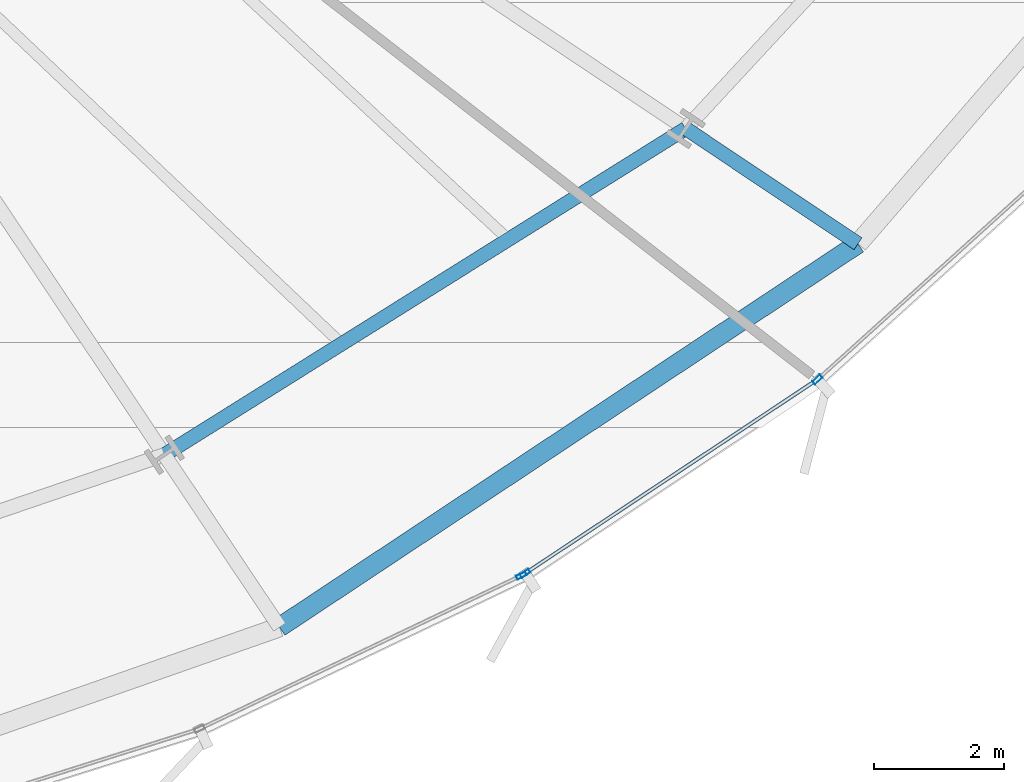
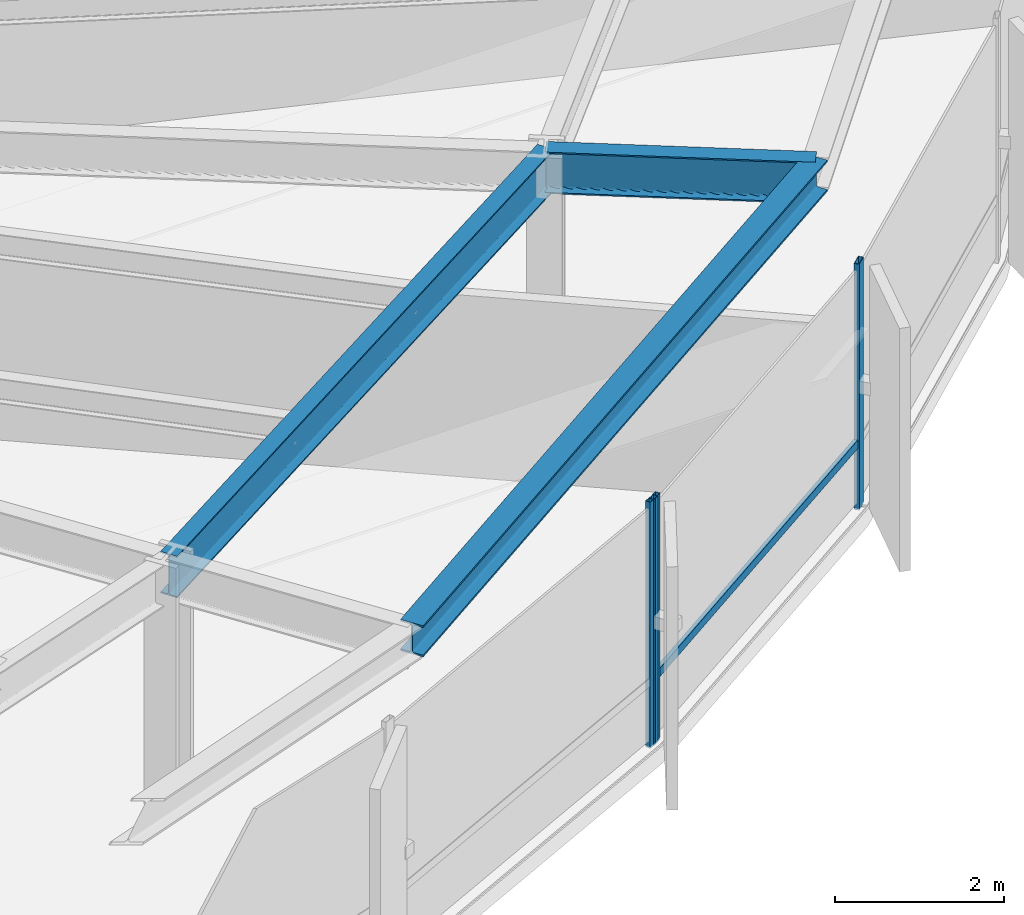
# One storey, part 13 of 38: 4 members, 3 beams, 2 elements without a shape of their own.
"""IFC4 building model written with IfcOpenShell, lengths in metres."""

import ifcopenshell
import ifcopenshell.guid

model = None  # the IFC model being written
_history = None  # IfcOwnerHistory: only IFC2X3 demands one
_inside = {}  # id of a spatial element -> (the spatial element, [elements in it])
_under = {}  # id of a project, library or spatial element -> (it, [spatial elements below it])
_declared = {}  # id of a project -> (the project, [libraries it declares])
_typed = {}  # id of a type object -> (the type object, [elements of that type])
_made_of = {}  # id of a material, layer set ... -> (it, [elements and type objects made of it])


def new_model(schema):
    """Start an empty IFC model of exactly this schema.

    Asked for "IFC4X3", IfcOpenShell would pick the latest addendum, in which some entities
    have other attributes; the version numbers below select the first issue.
    IFC2X3 requires an IfcOwnerHistory on every rooted entity: one is made here for all.
    """
    global model, _history
    if schema == "IFC4X3":
        model = ifcopenshell.file(schema_version=(4, 3, 0, 0))
    else:
        model = ifcopenshell.file(schema=schema)
    _inside.clear()
    _under.clear()
    _declared.clear()
    _typed.clear()
    _made_of.clear()
    _history = None
    if model.schema == "IFC2X3":
        org = make("IfcOrganization", Name="unknown")
        user = make(
            "IfcPersonAndOrganization",
            ThePerson=make("IfcPerson", FamilyName="unknown"),
            TheOrganization=org,
        )
        app = make(
            "IfcApplication",
            ApplicationDeveloper=org,
            Version="unknown",
            ApplicationFullName="unknown",
            ApplicationIdentifier="unknown",
        )
        _history = make(
            "IfcOwnerHistory",
            OwningUser=user,
            OwningApplication=app,
            ChangeAction="ADDED",
            CreationDate=0,
        )
    return model


def make(cls, **values):
    """One entity of the class cls with the attributes given. An attribute that is None is left unset."""
    return model.create_entity(
        cls, **{name: value for name, value in values.items() if value is not None}
    )


def rooted(cls, **values):
    """An entity with a GlobalId (a new one), such as an element, a storey or a relation."""
    return make(cls, GlobalId=ifcopenshell.guid.new(), OwnerHistory=_history, **values)


def si_unit(unit_type, name, prefix=None):
    """IfcSIUnit, for example si_unit("LENGTHUNIT", "METRE", prefix="MILLI")."""
    return make("IfcSIUnit", UnitType=unit_type, Prefix=prefix, Name=name)


def assignment(units):
    """IfcUnitAssignment: the units of a project."""
    return None if units is None else make("IfcUnitAssignment", Units=units)


def point(xyz):
    """IfcCartesianPoint."""
    return None if xyz is None else make("IfcCartesianPoint", Coordinates=xyz)


def direction(xyz):
    """IfcDirection."""
    return None if xyz is None else make("IfcDirection", DirectionRatios=xyz)


def frame(location, z_axis=None, x_axis=None):
    """IfcAxis2Placement3D, a coordinate frame: its origin and axes. An axis left out is left unset."""
    return make(
        "IfcAxis2Placement3D",
        Location=point(location),
        Axis=direction(z_axis),
        RefDirection=direction(x_axis),
    )


def frame_2d(location, x_axis=None):
    """IfcAxis2Placement2D, a coordinate frame in the plane: its origin and x axis."""
    return make(
        "IfcAxis2Placement2D", Location=point(location), RefDirection=direction(x_axis)
    )


def origin():
    """The frame at (0, 0, 0) with its axes left unset."""
    return frame((0.0, 0.0, 0.0))


def origin_2d():
    """The frame at (0, 0) in the plane with its x axis left unset."""
    return frame_2d((0.0, 0.0))


def place(relative_to, where):
    """IfcLocalPlacement: puts the frame where relative to a parent placement (None: the world)."""
    return make(
        "IfcLocalPlacement", PlacementRelTo=relative_to, RelativePlacement=where
    )


def context(
    kind, dimensions, precision=None, world=None, true_north=None, identifier=None
):
    """IfcGeometricRepresentationContext, for example the 3D "Model" context."""
    return make(
        "IfcGeometricRepresentationContext",
        ContextIdentifier=identifier,
        ContextType=kind,
        CoordinateSpaceDimension=dimensions,
        Precision=precision,
        WorldCoordinateSystem=world,
        TrueNorth=true_north,
    )


def subcontext(parent, identifier, kind, view, scale=None):
    """IfcGeometricRepresentationSubContext, for example "Body" below "Model"."""
    return make(
        "IfcGeometricRepresentationSubContext",
        ContextIdentifier=identifier,
        ContextType=kind,
        ParentContext=parent,
        TargetScale=scale,
        TargetView=view,
    )


def project(units=None, contexts=None):
    """IfcProject with its units and contexts."""
    return rooted(
        "IfcProject",
        Name="project",
        RepresentationContexts=contexts,
        UnitsInContext=assignment(units),
    )


def spatial(cls, under=None, at=None, **own):
    """A site, building, storey or space (cls), placed at a placement, below another one or the project."""
    s = rooted(cls, ObjectPlacement=at, **own)
    if under is not None:
        _under.setdefault(under.id(), (under, []))[1].append(s)
    return s


def profile(cls, at=None, kind="AREA", **sizes):
    """A parametric profile (cls). Its sizes go by their IFC names, for example OverallWidth=200.0."""
    return make(cls, ProfileType=kind, Position=at, **sizes)


def hollow_rectangle(**sizes):
    """IfcRectangleHollowProfileDef."""
    return profile("IfcRectangleHollowProfileDef", **sizes)


def i_section(**sizes):
    """IfcIShapeProfileDef."""
    return profile("IfcIShapeProfileDef", **sizes)


def extrude(swept, where, along, depth):
    """IfcExtrudedAreaSolid: the profile swept, set in the frame where, extruded along a direction by depth."""
    return make(
        "IfcExtrudedAreaSolid",
        SweptArea=swept,
        Position=where,
        ExtrudedDirection=direction(along),
        Depth=depth,
    )


def shape(context_of_items, identifier, shape_type, items):
    """IfcShapeRepresentation: the items that make up one representation, for example the "Body"."""
    return make(
        "IfcShapeRepresentation",
        ContextOfItems=context_of_items,
        RepresentationIdentifier=identifier,
        RepresentationType=shape_type,
        Items=items,
    )


def source(mapping_origin, context_of_items, identifier, shape_type, items):
    """IfcRepresentationMap: a shape defined once, which mapped items show again and again."""
    return make(
        "IfcRepresentationMap",
        MappingOrigin=mapping_origin,
        MappedRepresentation=shape(context_of_items, identifier, shape_type, items),
    )


def transform(
    local_origin,
    x_axis=None,
    y_axis=None,
    z_axis=None,
    scale=None,
    scale2=None,
    scale3=None,
    uniform=True,
):
    """IfcCartesianTransformationOperator3D, or its non-uniform kind. x_axis, y_axis, z_axis: its Axis1, 2, 3."""
    if uniform:
        return make(
            "IfcCartesianTransformationOperator3D",
            Axis1=direction(x_axis),
            Axis2=direction(y_axis),
            LocalOrigin=point(local_origin),
            Scale=scale,
            Axis3=direction(z_axis),
        )
    return make(
        "IfcCartesianTransformationOperator3DnonUniform",
        Axis1=direction(x_axis),
        Axis2=direction(y_axis),
        LocalOrigin=point(local_origin),
        Scale=scale,
        Axis3=direction(z_axis),
        Scale2=scale2,
        Scale3=scale3,
    )


def mapped(mapping_source, mapping_target):
    """IfcMappedItem: shows the shape of a source again, moved by a transform."""
    return make(
        "IfcMappedItem", MappingSource=mapping_source, MappingTarget=mapping_target
    )


def material(Name=None, Category=None):
    """IfcMaterial."""
    return make("IfcMaterial", Name=Name, Category=Category)


def layer(
    of_material, thickness, ventilated=None, Name=None, Category=None, Priority=None
):
    """IfcMaterialLayer: one layer of a wall or slab, of a material (None: an air gap)."""
    return make(
        "IfcMaterialLayer",
        Material=of_material,
        LayerThickness=thickness,
        IsVentilated=ventilated,
        Name=Name,
        Category=Category,
        Priority=Priority,
    )


def layer_set(layers, Name=None):
    """IfcMaterialLayerSet."""
    return make("IfcMaterialLayerSet", MaterialLayers=layers, LayerSetName=Name)


def material_profile(
    of_material, cross_section, Name=None, Category=None, Priority=None
):
    """IfcMaterialProfile: a cross section and its material."""
    return make(
        "IfcMaterialProfile",
        Name=Name,
        Material=of_material,
        Profile=cross_section,
        Priority=Priority,
        Category=Category,
    )


def profile_set(profiles, Name=None, composite=None):
    """IfcMaterialProfileSet."""
    return make(
        "IfcMaterialProfileSet",
        Name=Name,
        MaterialProfiles=profiles,
        CompositeProfile=composite,
    )


def made_of(thing, what):
    """Note that an element or type object is made of a material, layer set ...; save() writes the relation."""
    if what is not None:
        _made_of.setdefault(what.id(), (what, []))[1].append(thing)
    return thing


def type_object(cls, material=None, **own):
    """A type object (cls), such as IfcWallType, which elements share."""
    return made_of(rooted(cls, **own), material)


def element(
    cls,
    number,
    at=None,
    inside=None,
    cuts=None,
    type_object=None,
    material=None,
    context=None,
    identifier="Body",
    shape_type=None,
    held_by="IfcProductDefinitionShape",
    body=None,
    shapes=None,
    **own,
):
    """One element of the class cls, such as IfcWall. Its Tag is "e" and its number.

    at: its placement. inside: the storey or other place that contains it. cuts: it is an
    opening in that element (IfcRelVoidsElement). A single representation is given by context,
    identifier, shape_type and body (its items); several are given by shapes. held_by: the class
    of the entity that holds the representations. save() writes the other relations.
    """
    e = rooted(cls, Tag="e%d" % number, ObjectPlacement=at, **own)
    if body is not None:
        shapes = [shape(context, identifier, shape_type, body)]
    if shapes is not None:
        e.Representation = make(held_by, Representations=shapes)
    if inside is not None:
        _inside.setdefault(inside.id(), (inside, []))[1].append(e)
    if cuts is not None:
        rooted(
            "IfcRelVoidsElement", RelatingBuildingElement=cuts, RelatedOpeningElement=e
        )
    if type_object is not None:
        _typed.setdefault(type_object.id(), (type_object, []))[1].append(e)
    return made_of(e, material)


def aggregate(whole, parts):
    """IfcRelAggregates: a whole, such as a stair, and the parts it consists of."""
    return rooted("IfcRelAggregates", RelatingObject=whole, RelatedObjects=parts)


def save(model, path):
    """Write the relations noted so far, then the file.

    IfcRelAggregates (storeys below a building ...), IfcRelContainedInSpatialStructure (elements
    in a storey), IfcRelDefinesByType, IfcRelAssociatesMaterial and IfcRelDeclares: one each for
    every whole, place, type object, material and project.
    """
    for whole, parts in _under.values():
        aggregate(whole, parts)
    for where, things in _inside.values():
        rooted(
            "IfcRelContainedInSpatialStructure",
            RelatedElements=things,
            RelatingStructure=where,
        )
    for kind, things in _typed.values():
        rooted("IfcRelDefinesByType", RelatedObjects=things, RelatingType=kind)
    for what, things in _made_of.values():
        rooted("IfcRelAssociatesMaterial", RelatedObjects=things, RelatingMaterial=what)
    for by, libraries in _declared.values():
        rooted("IfcRelDeclares", RelatingContext=by, RelatedDefinitions=libraries)
    model.write(path)


model = new_model("IFC4")

# Units and contexts
model_context = context("Model", 3, precision=1e-05, world=origin(), true_north=direction((0.0, 1.0)))
body_context = subcontext(model_context, "Body", "Model", "MODEL_VIEW")
ifc_project = project(units=[si_unit("LENGTHUNIT", "METRE"), si_unit("AREAUNIT", "SQUARE_METRE"), si_unit("VOLUMEUNIT", "CUBIC_METRE"), si_unit("PLANEANGLEUNIT", "RADIAN"), si_unit("MASSUNIT", "GRAM", prefix="KILO"), si_unit("THERMODYNAMICTEMPERATUREUNIT", "KELVIN")], contexts=[model_context])

# Site, building, storey
site_placement = place(None, origin())
site = spatial("IfcSite", under=ifc_project, at=site_placement, CompositionType="ELEMENT")
building_placement = place(site_placement, origin())
building = spatial("IfcBuilding", under=site, at=building_placement, Name="Kethvar Cultural Tower", CompositionType="ELEMENT")
storey_placement = place(building_placement, frame((0.0, 0.0, 52.39990234375)))
storey = spatial("IfcBuildingStorey", under=building, at=storey_placement, Name="L12", CompositionType="ELEMENT", Elevation=52.39990234375)

# Beams
ifc_material_1 = material(Name="Steel S355J2", Category="steel")
ifc_material_profile_1 = material_profile(ifc_material_1, i_section(OverallWidth=0.219970703125, OverallDepth=0.60009765625, WebThickness=0.011962890625, FlangeThickness=0.01904296875, FilletRadius=0.02392578125, at=origin_2d()), Name="Steel S355J2 — IPE600")
ifc_profile_set_1 = profile_set([ifc_material_profile_1], Name="Steel S355J2 — IPE600")
beam_type_1 = type_object("IfcBeamType", Name="BM-IPE600", PredefinedType="BEAM", material=ifc_profile_set_1)
shared_shape_1 = source(origin(), body_context, "Body", "SweptSolid", [
    extrude(i_section(OverallWidth=0.219970703125, OverallDepth=0.60009765625, WebThickness=0.011962890625, FlangeThickness=0.01904296875, FilletRadius=0.02392578125, at=origin_2d()), origin(), (0.0, 0.0, 1.0), 3.19970703125),
])
beam_1_placement = place(storey_placement, frame((67.41845703125, 14.023193359375, 3.248046875), z_axis=(0.831498187863, -0.55552746429, 0.0), x_axis=(0.55552746429, 0.831498187863, 0.0)))
element("IfcBeam", 1, at=beam_1_placement, inside=storey, type_object=beam_type_1, Name="L12 Perimeter Cantilever Beam RC-15", PredefinedType="BEAM", context=body_context, shape_type="MappedRepresentation", body=[
    mapped(shared_shape_1, transform((0.0, 0.0, 0.0), scale=1.0)),
])
shared_shape_2 = source(origin(), body_context, "Body", "SweptSolid", [
    extrude(i_section(OverallWidth=0.219970703125, OverallDepth=0.60009765625, WebThickness=0.011962890625, FlangeThickness=0.01904296875, FilletRadius=0.02392578125, at=origin_2d()), origin(), (0.0, 0.0, 1.0), 9.493896484375),
])
beam_2_placement = place(storey_placement, frame((59.370361328125, 8.987060546875, 3.248046875), z_axis=(0.847710685997, 0.530458851228, 0.0), x_axis=(-0.530458851228, 0.847710685997, 0.0)))
element("IfcBeam", 2, at=beam_2_placement, inside=storey, type_object=beam_type_1, Name="L12 Column Ring Tie Beam CR-14", PredefinedType="BEAM", context=body_context, shape_type="MappedRepresentation", body=[
    mapped(shared_shape_2, transform((0.0, 0.0, 0.0), scale=1.0)),
])
ifc_material_profile_2 = material_profile(ifc_material_1, i_section(OverallWidth=0.300048828125, OverallDepth=0.449951171875, WebThickness=0.013916015625, FlangeThickness=0.02587890625, FilletRadius=0.027099609375, at=origin_2d()), Name="Steel S355J2 — HEB450")
ifc_profile_set_2 = profile_set([ifc_material_profile_2], Name="Steel S355J2 — HEB450")
beam_type_2 = type_object("IfcBeamType", Name="BM-SP450", PredefinedType="SPANDREL", material=ifc_profile_set_2)
shared_shape_3 = source(origin(), body_context, "Body", "SweptSolid", [
    extrude(i_section(OverallWidth=0.300048828125, OverallDepth=0.449951171875, WebThickness=0.013916015625, FlangeThickness=0.02587890625, FilletRadius=0.027099609375, at=origin_2d()), origin(), (0.0, 0.0, 1.0), 10.71435546875),
])
beam_3_placement = place(storey_placement, frame((61.148193359375, 6.326416015625, 3.322998046875), z_axis=(0.833544146731, 0.552452853599, 0.0), x_axis=(-0.552452853599, 0.833544146731, 0.0)))
element("IfcBeam", 3, at=beam_3_placement, inside=storey, type_object=beam_type_2, Name="L12 Perimeter Spandrel Beam SP-14", PredefinedType="SPANDREL", context=body_context, shape_type="MappedRepresentation", body=[
    mapped(shared_shape_3, transform((0.0, 0.0, 0.0), scale=1.0)),
])

# Curtain wall, member
ifc_material_2 = material(Name="Aluminium 6063-T6", Category="aluminium")
ifc_layer = layer(ifc_material_2, 0.179931640625, Name="Aluminium 6063-T6", Category="aluminium")
ifc_layer_set = layer_set([ifc_layer], Name="Aluminium 6063-T6 (180 mm)")
curtain_wall_type = type_object("IfcCurtainWallType", Name="CW-SYS-02-Z1", PredefinedType="NOTDEFINED", material=ifc_layer_set)
curtain_wall_1_placement = place(storey_placement, origin())
curtain_wall_1 = element("IfcCurtainWall", 4, at=curtain_wall_1_placement, inside=storey, type_object=curtain_wall_type, Name="L12 Curtain Wall Run 05", PredefinedType="NOTDEFINED")
ifc_material_profile_3 = material_profile(ifc_material_2, hollow_rectangle(XDim=0.06494140625, YDim=0.159912109375, WallThickness=0.0048828125, at=origin_2d()), Name="Aluminium 6063-T6 — RHS160x65x5")
ifc_profile_set_3 = profile_set([ifc_material_profile_3], Name="Aluminium 6063-T6 — RHS160x65x5")
member_type_1 = type_object("IfcMemberType", Name="CW-SYS-02-Z1-MUL", PredefinedType="MULLION", material=ifc_profile_set_3)
shared_shape_4 = source(origin(), body_context, "Body", "SweptSolid", [
    extrude(hollow_rectangle(XDim=0.06494140625, YDim=0.159912109375, WallThickness=0.0048828125, at=origin_2d()), origin(), (0.0, 0.0, 1.0), 3.550048828125),
])
member_1_placement = place(storey_placement, frame((64.88134765625, 7.12353515625, 0.0), z_axis=(0.0, 0.0, 1.0), x_axis=(-0.430211764528, 0.902727997606, 0.0)))
member_1 = element("IfcMember", 5, at=member_1_placement, type_object=member_type_1, Name="CW-L12-R05 Mullion 7", PredefinedType="MULLION", context=body_context, shape_type="MappedRepresentation", body=[
    mapped(shared_shape_4, transform((0.0, 0.0, 0.0), scale=1.0)),
])
aggregate(curtain_wall_1, [member_1])

# Curtain wall, members
curtain_wall_2_placement = place(storey_placement, origin())
curtain_wall_2 = element("IfcCurtainWall", 6, at=curtain_wall_2_placement, inside=storey, type_object=curtain_wall_type, Name="L12 Curtain Wall Run 06", PredefinedType="NOTDEFINED")
member_2_placement = place(storey_placement, frame((64.93994140625, 7.15673828125, 0.0), z_axis=(0.0, 0.0, 1.0), x_axis=(-0.552897186423, 0.833249483195, 0.0)))
member_2 = element("IfcMember", 7, at=member_2_placement, type_object=member_type_1, Name="CW-L12-R06 Mullion 1", PredefinedType="MULLION", context=body_context, shape_type="MappedRepresentation", body=[
    mapped(shared_shape_4, transform((0.0, 0.0, 0.0), scale=1.0)),
])
member_3_placement = place(storey_placement, frame((69.452392578125, 10.1494140625, 0.0), z_axis=(0.0, 0.0, 1.0), x_axis=(-0.670840911859, 0.741601288413, 0.0)))
member_3 = element("IfcMember", 8, at=member_3_placement, type_object=member_type_1, Name="CW-L12-R06 Mullion 2", PredefinedType="MULLION", context=body_context, shape_type="MappedRepresentation", body=[
    mapped(shared_shape_4, transform((0.0, 0.0, 0.0), scale=1.0)),
])
ifc_material_profile_4 = material_profile(ifc_material_2, hollow_rectangle(XDim=0.054931640625, YDim=0.1201171875, WallThickness=0.00390625, at=origin_2d()), Name="Aluminium 6063-T6 — RHS120x55x4")
ifc_profile_set_4 = profile_set([ifc_material_profile_4], Name="Aluminium 6063-T6 — RHS120x55x4")
member_type_2 = type_object("IfcMemberType", Name="CW-SYS-02-Z1-TRN", PredefinedType="USERDEFINED", material=ifc_profile_set_4)
shared_shape_5 = source(origin(), body_context, "Body", "SweptSolid", [
    extrude(hollow_rectangle(XDim=0.054931640625, YDim=0.1201171875, WallThickness=0.00390625, at=origin_2d()), origin(), (0.0, 0.0, 1.0), 5.38134765625),
])
member_4_placement = place(storey_placement, frame((64.943603515625, 7.1591796875, 0.9501953125), z_axis=(0.833255783345, 0.5528876916, 0.0), x_axis=(-0.5528876916, 0.833255783345, 0.0)))
member_4 = element("IfcMember", 9, at=member_4_placement, type_object=member_type_2, Name="CW-L12-R06 Transom 1", ObjectType="TRANSOM", PredefinedType="USERDEFINED", context=body_context, shape_type="MappedRepresentation", body=[
    mapped(shared_shape_5, transform((0.0, 0.0, 0.0), scale=1.0)),
])
aggregate(curtain_wall_2, [member_2, member_3, member_4])

save(model, "model.ifc")
